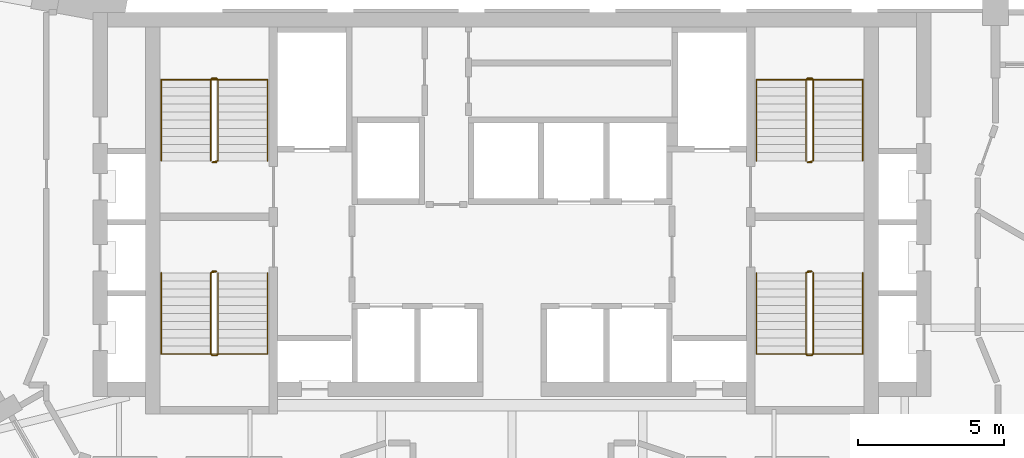
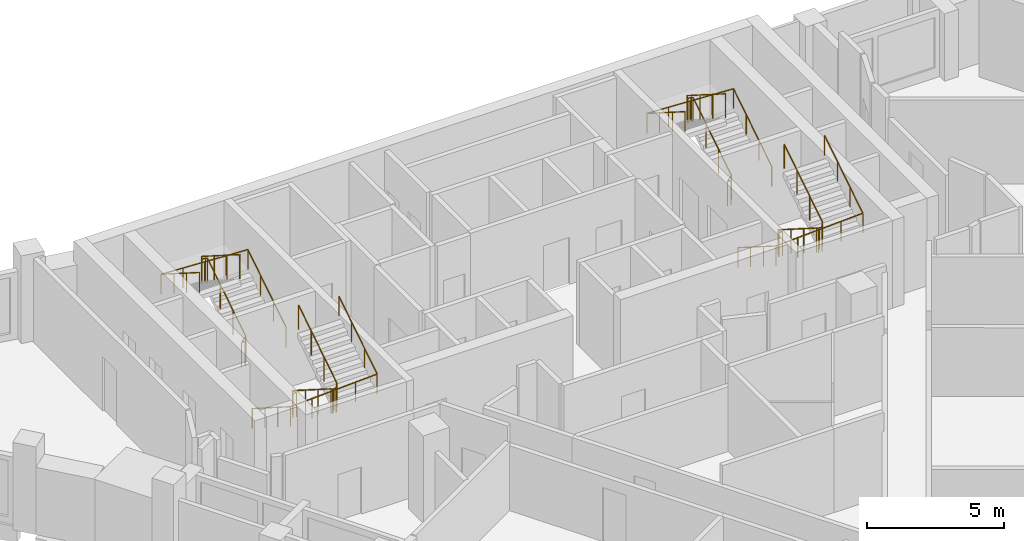
# One storey, part 9 of 9: 8 railings.
"""IFC4 building model written with IfcOpenShell, lengths in metres."""

from ifc_helpers import new_model, si_unit, direction, frame, origin, origin_2d, place, context, subcontext, project, spatial, circle, extrude, material, type_object, element, save


model = new_model("IFC4")

# Units and contexts
model_context = context("Model", 3, precision=1e-05, world=origin(), true_north=direction((0.0, 1.0)))
body_context = subcontext(model_context, "Body", "Model", "MODEL_VIEW")
ifc_project = project(units=[si_unit("LENGTHUNIT", "METRE"), si_unit("AREAUNIT", "SQUARE_METRE"), si_unit("VOLUMEUNIT", "CUBIC_METRE"), si_unit("PLANEANGLEUNIT", "RADIAN"), si_unit("MASSUNIT", "GRAM", prefix="KILO")], contexts=[model_context])

# Site, building, storey
site_placement = place(None, origin())
site = spatial("IfcSite", under=ifc_project, at=site_placement, CompositionType="ELEMENT")
building_placement = place(site_placement, origin())
building = spatial("IfcBuilding", under=site, at=building_placement, Name="Calabash Gate Tower", CompositionType="ELEMENT")
storey_placement = place(building_placement, frame((0.0, 0.0, 208.10009765625)))
storey = spatial("IfcBuildingStorey", under=building, at=storey_placement, Name="L49", CompositionType="ELEMENT", Elevation=208.10009765625)

# Railings
ifc_material_1 = material(Name="Black powder-coated steel balusters", Category="steel")
railing_type_1 = type_object("IfcRailingType", Name="Stair guard RL1100", PredefinedType="GUARDRAIL", material=ifc_material_1)
railing_1_placement = place(storey_placement, frame((-10.14990234375, 13.902587890625, 0.0)))
element("IfcRailing", 1, at=railing_1_placement, inside=storey, type_object=railing_type_1, Name="L49 ST1 stair guard 1", PredefinedType="GUARDRAIL", context=body_context, shape_type="SweptSolid", body=[
    extrude(circle(Radius=0.02392578125, at=origin_2d()), frame((0.0, 0.0, 1.076171875), z_axis=(-1.0, 0.0, 0.0), x_axis=(0.0, -1.0, 0.0)), (0.0, 0.0, 1.0), 0.150146484375),
    extrude(circle(Radius=0.02392578125, at=origin_2d()), frame((-0.150146484375, 0.0, 1.076171875), z_axis=(0.735524641326, 0.184105679453, 0.652003528208), x_axis=(-0.242814311512, 0.970072785993, 0.0)), (0.0, 0.0, 1.0), 0.271728515625),
    extrude(circle(Radius=0.02392578125, at=origin_2d()), frame((0.0498046875, 0.050048828125, 1.25341796875), z_axis=(0.0, 0.844041424197, 0.536277982245), x_axis=(-1.0, 0.0, 0.0)), (0.0, 0.0, 1.0), 3.3056640625),
    extrude(circle(Radius=0.02392578125, at=origin_2d()), frame((0.0498046875, 2.840087890625, 3.02587890625), z_axis=(-0.707106781187, 0.707106781187, 0.0), x_axis=(-0.707106781187, -0.707106781187, 0.0)), (0.0, 0.0, 1.0), 0.0703125),
    extrude(circle(Radius=0.02392578125, at=origin_2d()), frame((0.0, 2.889892578125, 3.02587890625), z_axis=(-1.0, 0.0, 0.0), x_axis=(0.0, -1.0, 0.0)), (0.0, 0.0, 1.0), 0.150146484375),
    extrude(circle(Radius=0.02392578125, at=origin_2d()), frame((-0.150146484375, 2.889892578125, 3.02587890625), z_axis=(-0.262321481514, -0.261041864531, 0.929001929653), x_axis=(0.705375805398, -0.708833529934, 0.0)), (0.0, 0.0, 1.0), 0.190673828125),
    extrude(circle(Radius=0.02392578125, at=origin_2d()), frame((-0.2001953125, 2.840087890625, 3.203125), z_axis=(0.0, -0.844041424197, 0.536277982245), x_axis=(1.0, 0.0, 0.0)), (0.0, 0.0, 1.0), 3.3056640625),
    extrude(circle(Radius=0.02099609375, at=origin_2d()), origin(), (0.0, 0.0, 1.0), 1.052001953125),
    extrude(circle(Radius=0.02099609375, at=origin_2d()), frame((-0.150146484375, 0.0, 0.0)), (0.0, 0.0, 1.0), 1.052001953125),
    extrude(circle(Radius=0.02099609375, at=origin_2d()), frame((0.0498046875, 0.050048828125, 0.17724609375)), (0.0, 0.0, 1.0), 1.052001953125),
    extrude(circle(Radius=0.02099609375, at=origin_2d()), frame((0.0498046875, 0.97998046875, 0.76806640625)), (0.0, 0.0, 1.0), 1.052001953125),
    extrude(circle(Radius=0.02099609375, at=origin_2d()), frame((0.0498046875, 1.91015625, 1.359130859375)), (0.0, 0.0, 1.0), 1.052001953125),
    extrude(circle(Radius=0.02099609375, at=origin_2d()), frame((0.0498046875, 2.840087890625, 1.949951171875)), (0.0, 0.0, 1.0), 1.052001953125),
    extrude(circle(Radius=0.02099609375, at=origin_2d()), frame((0.0, 2.889892578125, 1.949951171875)), (0.0, 0.0, 1.0), 1.052001953125),
    extrude(circle(Radius=0.02099609375, at=origin_2d()), frame((-0.150146484375, 2.889892578125, 1.949951171875)), (0.0, 0.0, 1.0), 1.052001953125),
    extrude(circle(Radius=0.02099609375, at=origin_2d()), frame((-0.2001953125, 2.840087890625, 2.127197265625)), (0.0, 0.0, 1.0), 1.052001953125),
    extrude(circle(Radius=0.02099609375, at=origin_2d()), frame((-0.2001953125, 1.91015625, 2.718017578125)), (0.0, 0.0, 1.0), 1.052001953125),
    extrude(circle(Radius=0.02099609375, at=origin_2d()), frame((-0.2001953125, 0.97998046875, 3.30908203125)), (0.0, 0.0, 1.0), 1.052001953125),
    extrude(circle(Radius=0.02099609375, at=origin_2d()), frame((-0.2001953125, 0.050048828125, 3.89990234375)), (0.0, 0.0, 1.0), 1.052001953125),
])
railing_2_placement = place(storey_placement, frame((-10.300048828125, 10.152587890625, 0.0)))
element("IfcRailing", 2, at=railing_2_placement, inside=storey, type_object=railing_type_1, Name="L49 ST2 stair guard 1", PredefinedType="GUARDRAIL", context=body_context, shape_type="SweptSolid", body=[
    extrude(circle(Radius=0.02392578125, at=origin_2d()), frame((0.0, 0.0, 1.076171875), z_axis=(1.0, 0.0, 0.0), x_axis=(0.0, 1.0, 0.0)), (0.0, 0.0, 1.0), 0.150146484375),
    extrude(circle(Radius=0.02392578125, at=origin_2d()), frame((0.150146484375, 0.0, 1.076171875), z_axis=(-0.735936453418, -0.183984113355, 0.651573006319), x_axis=(0.242535625036, -0.970142500145, 0.0)), (0.0, 0.0, 1.0), 0.27197265625),
    extrude(circle(Radius=0.02392578125, at=origin_2d()), frame((-0.050048828125, -0.050048828125, 1.25341796875), z_axis=(0.0, -0.844041424197, 0.536277982245), x_axis=(1.0, 0.0, 0.0)), (0.0, 0.0, 1.0), 3.3056640625),
    extrude(circle(Radius=0.02392578125, at=origin_2d()), frame((-0.050048828125, -2.840087890625, 3.02587890625), z_axis=(0.708833529934, -0.705375805398, 0.0), x_axis=(0.705375805398, 0.708833529934, 0.0)), (0.0, 0.0, 1.0), 0.070556640625),
    extrude(circle(Radius=0.02392578125, at=origin_2d()), frame((0.0, -2.889892578125, 3.02587890625), z_axis=(1.0, 0.0, 0.0), x_axis=(0.0, 1.0, 0.0)), (0.0, 0.0, 1.0), 0.150146484375),
    extrude(circle(Radius=0.02392578125, at=origin_2d()), frame((0.150146484375, -2.889892578125, 3.02587890625), z_axis=(0.261129318932, 0.261129318932, 0.929313164433), x_axis=(-0.707106781187, 0.707106781187, 0.0)), (0.0, 0.0, 1.0), 0.190673828125),
    extrude(circle(Radius=0.02392578125, at=origin_2d()), frame((0.199951171875, -2.840087890625, 3.203125), z_axis=(0.0, 0.844041424197, 0.536277982245), x_axis=(-1.0, 0.0, 0.0)), (0.0, 0.0, 1.0), 3.3056640625),
    extrude(circle(Radius=0.02099609375, at=origin_2d()), origin(), (0.0, 0.0, 1.0), 1.052001953125),
    extrude(circle(Radius=0.02099609375, at=origin_2d()), frame((0.150146484375, 0.0, 0.0)), (0.0, 0.0, 1.0), 1.052001953125),
    extrude(circle(Radius=0.02099609375, at=origin_2d()), frame((-0.050048828125, -0.050048828125, 0.17724609375)), (0.0, 0.0, 1.0), 1.052001953125),
    extrude(circle(Radius=0.02099609375, at=origin_2d()), frame((-0.050048828125, -0.97998046875, 0.76806640625)), (0.0, 0.0, 1.0), 1.052001953125),
    extrude(circle(Radius=0.02099609375, at=origin_2d()), frame((-0.050048828125, -1.91015625, 1.359130859375)), (0.0, 0.0, 1.0), 1.052001953125),
    extrude(circle(Radius=0.02099609375, at=origin_2d()), frame((-0.050048828125, -2.840087890625, 1.949951171875)), (0.0, 0.0, 1.0), 1.052001953125),
    extrude(circle(Radius=0.02099609375, at=origin_2d()), frame((0.0, -2.889892578125, 1.949951171875)), (0.0, 0.0, 1.0), 1.052001953125),
    extrude(circle(Radius=0.02099609375, at=origin_2d()), frame((0.150146484375, -2.889892578125, 1.949951171875)), (0.0, 0.0, 1.0), 1.052001953125),
    extrude(circle(Radius=0.02099609375, at=origin_2d()), frame((0.199951171875, -2.840087890625, 2.127197265625)), (0.0, 0.0, 1.0), 1.052001953125),
    extrude(circle(Radius=0.02099609375, at=origin_2d()), frame((0.199951171875, -1.91015625, 2.718017578125)), (0.0, 0.0, 1.0), 1.052001953125),
    extrude(circle(Radius=0.02099609375, at=origin_2d()), frame((0.199951171875, -0.97998046875, 3.30908203125)), (0.0, 0.0, 1.0), 1.052001953125),
    extrude(circle(Radius=0.02099609375, at=origin_2d()), frame((0.199951171875, -0.050048828125, 3.89990234375)), (0.0, 0.0, 1.0), 1.052001953125),
])
railing_3_placement = place(storey_placement, frame((10.300048828125, 13.902587890625, 0.0)))
element("IfcRailing", 3, at=railing_3_placement, inside=storey, type_object=railing_type_1, Name="L49 ST3 stair guard 1", PredefinedType="GUARDRAIL", context=body_context, shape_type="SweptSolid", body=[
    extrude(circle(Radius=0.02392578125, at=origin_2d()), frame((0.0, 0.0, 1.076171875), z_axis=(-1.0, 0.0, 0.0), x_axis=(0.0, -1.0, 0.0)), (0.0, 0.0, 1.0), 0.150146484375),
    extrude(circle(Radius=0.02392578125, at=origin_2d()), frame((-0.150146484375, 0.0, 1.076171875), z_axis=(0.735936453418, 0.183984113355, 0.651573006319), x_axis=(-0.242535625036, 0.970142500145, 0.0)), (0.0, 0.0, 1.0), 0.27197265625),
    extrude(circle(Radius=0.02392578125, at=origin_2d()), frame((0.050048828125, 0.050048828125, 1.25341796875), z_axis=(0.0, 0.844041424197, 0.536277982245), x_axis=(-1.0, 0.0, 0.0)), (0.0, 0.0, 1.0), 3.3056640625),
    extrude(circle(Radius=0.02392578125, at=origin_2d()), frame((0.050048828125, 2.840087890625, 3.02587890625), z_axis=(-0.708833529934, 0.705375805398, 0.0), x_axis=(-0.705375805398, -0.708833529934, 0.0)), (0.0, 0.0, 1.0), 0.070556640625),
    extrude(circle(Radius=0.02392578125, at=origin_2d()), frame((0.0, 2.889892578125, 3.02587890625), z_axis=(-1.0, 0.0, 0.0), x_axis=(0.0, -1.0, 0.0)), (0.0, 0.0, 1.0), 0.150146484375),
    extrude(circle(Radius=0.02392578125, at=origin_2d()), frame((-0.150146484375, 2.889892578125, 3.02587890625), z_axis=(-0.261129318932, -0.261129318932, 0.929313164433), x_axis=(0.707106781187, -0.707106781187, 0.0)), (0.0, 0.0, 1.0), 0.190673828125),
    extrude(circle(Radius=0.02392578125, at=origin_2d()), frame((-0.199951171875, 2.840087890625, 3.203125), z_axis=(0.0, -0.844041424197, 0.536277982245), x_axis=(1.0, 0.0, 0.0)), (0.0, 0.0, 1.0), 3.3056640625),
    extrude(circle(Radius=0.02099609375, at=origin_2d()), origin(), (0.0, 0.0, 1.0), 1.052001953125),
    extrude(circle(Radius=0.02099609375, at=origin_2d()), frame((-0.150146484375, 0.0, 0.0)), (0.0, 0.0, 1.0), 1.052001953125),
    extrude(circle(Radius=0.02099609375, at=origin_2d()), frame((0.050048828125, 0.050048828125, 0.17724609375)), (0.0, 0.0, 1.0), 1.052001953125),
    extrude(circle(Radius=0.02099609375, at=origin_2d()), frame((0.050048828125, 0.97998046875, 0.76806640625)), (0.0, 0.0, 1.0), 1.052001953125),
    extrude(circle(Radius=0.02099609375, at=origin_2d()), frame((0.050048828125, 1.91015625, 1.359130859375)), (0.0, 0.0, 1.0), 1.052001953125),
    extrude(circle(Radius=0.02099609375, at=origin_2d()), frame((0.050048828125, 2.840087890625, 1.949951171875)), (0.0, 0.0, 1.0), 1.052001953125),
    extrude(circle(Radius=0.02099609375, at=origin_2d()), frame((0.0, 2.889892578125, 1.949951171875)), (0.0, 0.0, 1.0), 1.052001953125),
    extrude(circle(Radius=0.02099609375, at=origin_2d()), frame((-0.150146484375, 2.889892578125, 1.949951171875)), (0.0, 0.0, 1.0), 1.052001953125),
    extrude(circle(Radius=0.02099609375, at=origin_2d()), frame((-0.199951171875, 2.840087890625, 2.127197265625)), (0.0, 0.0, 1.0), 1.052001953125),
    extrude(circle(Radius=0.02099609375, at=origin_2d()), frame((-0.199951171875, 1.91015625, 2.718017578125)), (0.0, 0.0, 1.0), 1.052001953125),
    extrude(circle(Radius=0.02099609375, at=origin_2d()), frame((-0.199951171875, 0.97998046875, 3.30908203125)), (0.0, 0.0, 1.0), 1.052001953125),
    extrude(circle(Radius=0.02099609375, at=origin_2d()), frame((-0.199951171875, 0.050048828125, 3.89990234375)), (0.0, 0.0, 1.0), 1.052001953125),
])
railing_4_placement = place(storey_placement, frame((10.14990234375, 10.152587890625, 0.0)))
element("IfcRailing", 4, at=railing_4_placement, inside=storey, type_object=railing_type_1, Name="L49 ST4 stair guard 1", PredefinedType="GUARDRAIL", context=body_context, shape_type="SweptSolid", body=[
    extrude(circle(Radius=0.02392578125, at=origin_2d()), frame((0.0, 0.0, 1.076171875), z_axis=(1.0, 0.0, 0.0), x_axis=(0.0, 1.0, 0.0)), (0.0, 0.0, 1.0), 0.150146484375),
    extrude(circle(Radius=0.02392578125, at=origin_2d()), frame((0.150146484375, 0.0, 1.076171875), z_axis=(-0.735524641326, -0.184105679453, 0.652003528208), x_axis=(0.242814311512, -0.970072785993, 0.0)), (0.0, 0.0, 1.0), 0.271728515625),
    extrude(circle(Radius=0.02392578125, at=origin_2d()), frame((-0.0498046875, -0.050048828125, 1.25341796875), z_axis=(0.0, -0.844041424197, 0.536277982245), x_axis=(1.0, 0.0, 0.0)), (0.0, 0.0, 1.0), 3.3056640625),
    extrude(circle(Radius=0.02392578125, at=origin_2d()), frame((-0.0498046875, -2.840087890625, 3.02587890625), z_axis=(0.707106781187, -0.707106781187, 0.0), x_axis=(0.707106781187, 0.707106781187, 0.0)), (0.0, 0.0, 1.0), 0.0703125),
    extrude(circle(Radius=0.02392578125, at=origin_2d()), frame((0.0, -2.889892578125, 3.02587890625), z_axis=(1.0, 0.0, 0.0), x_axis=(0.0, 1.0, 0.0)), (0.0, 0.0, 1.0), 0.150146484375),
    extrude(circle(Radius=0.02392578125, at=origin_2d()), frame((0.150146484375, -2.889892578125, 3.02587890625), z_axis=(0.262321481514, 0.261041864531, 0.929001929653), x_axis=(-0.705375805398, 0.708833529934, 0.0)), (0.0, 0.0, 1.0), 0.190673828125),
    extrude(circle(Radius=0.02392578125, at=origin_2d()), frame((0.2001953125, -2.840087890625, 3.203125), z_axis=(0.0, 0.844041424197, 0.536277982245), x_axis=(-1.0, 0.0, 0.0)), (0.0, 0.0, 1.0), 3.3056640625),
    extrude(circle(Radius=0.02099609375, at=origin_2d()), origin(), (0.0, 0.0, 1.0), 1.052001953125),
    extrude(circle(Radius=0.02099609375, at=origin_2d()), frame((0.150146484375, 0.0, 0.0)), (0.0, 0.0, 1.0), 1.052001953125),
    extrude(circle(Radius=0.02099609375, at=origin_2d()), frame((-0.0498046875, -0.050048828125, 0.17724609375)), (0.0, 0.0, 1.0), 1.052001953125),
    extrude(circle(Radius=0.02099609375, at=origin_2d()), frame((-0.0498046875, -0.97998046875, 0.76806640625)), (0.0, 0.0, 1.0), 1.052001953125),
    extrude(circle(Radius=0.02099609375, at=origin_2d()), frame((-0.0498046875, -1.91015625, 1.359130859375)), (0.0, 0.0, 1.0), 1.052001953125),
    extrude(circle(Radius=0.02099609375, at=origin_2d()), frame((-0.0498046875, -2.840087890625, 1.949951171875)), (0.0, 0.0, 1.0), 1.052001953125),
    extrude(circle(Radius=0.02099609375, at=origin_2d()), frame((0.0, -2.889892578125, 1.949951171875)), (0.0, 0.0, 1.0), 1.052001953125),
    extrude(circle(Radius=0.02099609375, at=origin_2d()), frame((0.150146484375, -2.889892578125, 1.949951171875)), (0.0, 0.0, 1.0), 1.052001953125),
    extrude(circle(Radius=0.02099609375, at=origin_2d()), frame((0.2001953125, -2.840087890625, 2.127197265625)), (0.0, 0.0, 1.0), 1.052001953125),
    extrude(circle(Radius=0.02099609375, at=origin_2d()), frame((0.2001953125, -1.91015625, 2.718017578125)), (0.0, 0.0, 1.0), 1.052001953125),
    extrude(circle(Radius=0.02099609375, at=origin_2d()), frame((0.2001953125, -0.97998046875, 3.30908203125)), (0.0, 0.0, 1.0), 1.052001953125),
    extrude(circle(Radius=0.02099609375, at=origin_2d()), frame((0.2001953125, -0.050048828125, 3.89990234375)), (0.0, 0.0, 1.0), 1.052001953125),
])
ifc_material_2 = material(Name="Black powder-coated steel tube 48 mm", Category="steel")
railing_type_2 = type_object("IfcRailingType", Name="Stair handrail RL900", PredefinedType="HANDRAIL", material=ifc_material_2)
railing_5_placement = place(storey_placement, frame((-8.39990234375, 13.95263671875, 0.17724609375)))
element("IfcRailing", 5, at=railing_5_placement, inside=storey, type_object=railing_type_2, Name="L49 ST1 stair handrail 1", PredefinedType="HANDRAIL", context=body_context, shape_type="SweptSolid", body=[
    extrude(circle(Radius=0.02392578125, at=origin_2d()), frame((0.0, 0.0, 0.8759765625), z_axis=(0.0, 0.844041424197, 0.536277982245), x_axis=(-1.0, 0.0, 0.0)), (0.0, 0.0, 1.0), 3.3056640625),
    extrude(circle(Radius=0.02392578125, at=origin_2d()), frame((0.0, 2.7900390625, 2.6484375), z_axis=(-0.998823110844, 0.0, 0.048501476722), x_axis=(0.0, -1.0, 0.0)), (0.0, 0.0, 1.0), 3.654541015625),
    extrude(circle(Radius=0.02392578125, at=origin_2d()), frame((-3.650146484375, 2.7900390625, 2.82568359375), z_axis=(0.0, -0.844041424197, 0.536277982245), x_axis=(1.0, 0.0, 0.0)), (0.0, 0.0, 1.0), 3.3056640625),
    extrude(circle(Radius=0.02099609375, at=origin_2d()), origin(), (0.0, 0.0, 1.0), 0.851806640625),
    extrude(circle(Radius=0.02099609375, at=origin_2d()), frame((0.0, 0.929931640625, 0.5908203125)), (0.0, 0.0, 1.0), 0.851806640625),
    extrude(circle(Radius=0.02099609375, at=origin_2d()), frame((0.0, 1.860107421875, 1.181884765625)), (0.0, 0.0, 1.0), 0.851806640625),
    extrude(circle(Radius=0.02099609375, at=origin_2d()), frame((0.0, 2.7900390625, 1.772705078125)), (0.0, 0.0, 1.0), 0.851806640625),
    extrude(circle(Radius=0.02099609375, at=origin_2d()), frame((-0.91259765625, 2.7900390625, 1.81689453125)), (0.0, 0.0, 1.0), 0.851806640625),
    extrude(circle(Radius=0.02099609375, at=origin_2d()), frame((-1.8251953125, 2.7900390625, 1.861328125)), (0.0, 0.0, 1.0), 0.851806640625),
    extrude(circle(Radius=0.02099609375, at=origin_2d()), frame((-2.737548828125, 2.7900390625, 1.90576171875)), (0.0, 0.0, 1.0), 0.851806640625),
    extrude(circle(Radius=0.02099609375, at=origin_2d()), frame((-3.650146484375, 2.7900390625, 1.949951171875)), (0.0, 0.0, 1.0), 0.851806640625),
    extrude(circle(Radius=0.02099609375, at=origin_2d()), frame((-3.650146484375, 1.860107421875, 2.540771484375)), (0.0, 0.0, 1.0), 0.851806640625),
    extrude(circle(Radius=0.02099609375, at=origin_2d()), frame((-3.650146484375, 0.929931640625, 3.1318359375)), (0.0, 0.0, 1.0), 0.851806640625),
    extrude(circle(Radius=0.02099609375, at=origin_2d()), frame((-3.650146484375, 0.0, 3.72265625)), (0.0, 0.0, 1.0), 0.851806640625),
])
railing_6_placement = place(storey_placement, frame((-12.050048828125, 10.1025390625, 0.17724609375)))
element("IfcRailing", 6, at=railing_6_placement, inside=storey, type_object=railing_type_2, Name="L49 ST2 stair handrail 1", PredefinedType="HANDRAIL", context=body_context, shape_type="SweptSolid", body=[
    extrude(circle(Radius=0.02392578125, at=origin_2d()), frame((0.0, 0.0, 0.8759765625), z_axis=(0.0, -0.844041424197, 0.536277982245), x_axis=(1.0, 0.0, 0.0)), (0.0, 0.0, 1.0), 3.3056640625),
    extrude(circle(Radius=0.02392578125, at=origin_2d()), frame((0.0, -2.7900390625, 2.6484375), z_axis=(0.998823110844, 0.0, 0.048501476722), x_axis=(0.0, 1.0, 0.0)), (0.0, 0.0, 1.0), 3.654541015625),
    extrude(circle(Radius=0.02392578125, at=origin_2d()), frame((3.650146484375, -2.7900390625, 2.82568359375), z_axis=(0.0, 0.844041424197, 0.536277982245), x_axis=(-1.0, 0.0, 0.0)), (0.0, 0.0, 1.0), 3.3056640625),
    extrude(circle(Radius=0.02099609375, at=origin_2d()), origin(), (0.0, 0.0, 1.0), 0.851806640625),
    extrude(circle(Radius=0.02099609375, at=origin_2d()), frame((0.0, -0.929931640625, 0.5908203125)), (0.0, 0.0, 1.0), 0.851806640625),
    extrude(circle(Radius=0.02099609375, at=origin_2d()), frame((0.0, -1.860107421875, 1.181884765625)), (0.0, 0.0, 1.0), 0.851806640625),
    extrude(circle(Radius=0.02099609375, at=origin_2d()), frame((0.0, -2.7900390625, 1.772705078125)), (0.0, 0.0, 1.0), 0.851806640625),
    extrude(circle(Radius=0.02099609375, at=origin_2d()), frame((0.91259765625, -2.7900390625, 1.81689453125)), (0.0, 0.0, 1.0), 0.851806640625),
    extrude(circle(Radius=0.02099609375, at=origin_2d()), frame((1.8251953125, -2.7900390625, 1.861328125)), (0.0, 0.0, 1.0), 0.851806640625),
    extrude(circle(Radius=0.02099609375, at=origin_2d()), frame((2.737548828125, -2.7900390625, 1.90576171875)), (0.0, 0.0, 1.0), 0.851806640625),
    extrude(circle(Radius=0.02099609375, at=origin_2d()), frame((3.650146484375, -2.7900390625, 1.949951171875)), (0.0, 0.0, 1.0), 0.851806640625),
    extrude(circle(Radius=0.02099609375, at=origin_2d()), frame((3.650146484375, -1.860107421875, 2.540771484375)), (0.0, 0.0, 1.0), 0.851806640625),
    extrude(circle(Radius=0.02099609375, at=origin_2d()), frame((3.650146484375, -0.929931640625, 3.1318359375)), (0.0, 0.0, 1.0), 0.851806640625),
    extrude(circle(Radius=0.02099609375, at=origin_2d()), frame((3.650146484375, 0.0, 3.72265625)), (0.0, 0.0, 1.0), 0.851806640625),
])
railing_7_placement = place(storey_placement, frame((12.050048828125, 13.95263671875, 0.17724609375)))
element("IfcRailing", 7, at=railing_7_placement, inside=storey, type_object=railing_type_2, Name="L49 ST3 stair handrail 1", PredefinedType="HANDRAIL", context=body_context, shape_type="SweptSolid", body=[
    extrude(circle(Radius=0.02392578125, at=origin_2d()), frame((0.0, 0.0, 0.8759765625), z_axis=(0.0, 0.844041424197, 0.536277982245), x_axis=(-1.0, 0.0, 0.0)), (0.0, 0.0, 1.0), 3.3056640625),
    extrude(circle(Radius=0.02392578125, at=origin_2d()), frame((0.0, 2.7900390625, 2.6484375), z_axis=(-0.998823110844, 0.0, 0.048501476722), x_axis=(0.0, -1.0, 0.0)), (0.0, 0.0, 1.0), 3.654541015625),
    extrude(circle(Radius=0.02392578125, at=origin_2d()), frame((-3.650146484375, 2.7900390625, 2.82568359375), z_axis=(0.0, -0.844041424197, 0.536277982245), x_axis=(1.0, 0.0, 0.0)), (0.0, 0.0, 1.0), 3.3056640625),
    extrude(circle(Radius=0.02099609375, at=origin_2d()), origin(), (0.0, 0.0, 1.0), 0.851806640625),
    extrude(circle(Radius=0.02099609375, at=origin_2d()), frame((0.0, 0.929931640625, 0.5908203125)), (0.0, 0.0, 1.0), 0.851806640625),
    extrude(circle(Radius=0.02099609375, at=origin_2d()), frame((0.0, 1.860107421875, 1.181884765625)), (0.0, 0.0, 1.0), 0.851806640625),
    extrude(circle(Radius=0.02099609375, at=origin_2d()), frame((0.0, 2.7900390625, 1.772705078125)), (0.0, 0.0, 1.0), 0.851806640625),
    extrude(circle(Radius=0.02099609375, at=origin_2d()), frame((-0.91259765625, 2.7900390625, 1.81689453125)), (0.0, 0.0, 1.0), 0.851806640625),
    extrude(circle(Radius=0.02099609375, at=origin_2d()), frame((-1.8251953125, 2.7900390625, 1.861328125)), (0.0, 0.0, 1.0), 0.851806640625),
    extrude(circle(Radius=0.02099609375, at=origin_2d()), frame((-2.737548828125, 2.7900390625, 1.90576171875)), (0.0, 0.0, 1.0), 0.851806640625),
    extrude(circle(Radius=0.02099609375, at=origin_2d()), frame((-3.650146484375, 2.7900390625, 1.949951171875)), (0.0, 0.0, 1.0), 0.851806640625),
    extrude(circle(Radius=0.02099609375, at=origin_2d()), frame((-3.650146484375, 1.860107421875, 2.540771484375)), (0.0, 0.0, 1.0), 0.851806640625),
    extrude(circle(Radius=0.02099609375, at=origin_2d()), frame((-3.650146484375, 0.929931640625, 3.1318359375)), (0.0, 0.0, 1.0), 0.851806640625),
    extrude(circle(Radius=0.02099609375, at=origin_2d()), frame((-3.650146484375, 0.0, 3.72265625)), (0.0, 0.0, 1.0), 0.851806640625),
])
railing_8_placement = place(storey_placement, frame((8.39990234375, 10.1025390625, 0.17724609375)))
element("IfcRailing", 8, at=railing_8_placement, inside=storey, type_object=railing_type_2, Name="L49 ST4 stair handrail 1", PredefinedType="HANDRAIL", context=body_context, shape_type="SweptSolid", body=[
    extrude(circle(Radius=0.02392578125, at=origin_2d()), frame((0.0, 0.0, 0.8759765625), z_axis=(0.0, -0.844041424197, 0.536277982245), x_axis=(1.0, 0.0, 0.0)), (0.0, 0.0, 1.0), 3.3056640625),
    extrude(circle(Radius=0.02392578125, at=origin_2d()), frame((0.0, -2.7900390625, 2.6484375), z_axis=(0.998823110844, 0.0, 0.048501476722), x_axis=(0.0, 1.0, 0.0)), (0.0, 0.0, 1.0), 3.654541015625),
    extrude(circle(Radius=0.02392578125, at=origin_2d()), frame((3.650146484375, -2.7900390625, 2.82568359375), z_axis=(0.0, 0.844041424197, 0.536277982245), x_axis=(-1.0, 0.0, 0.0)), (0.0, 0.0, 1.0), 3.3056640625),
    extrude(circle(Radius=0.02099609375, at=origin_2d()), origin(), (0.0, 0.0, 1.0), 0.851806640625),
    extrude(circle(Radius=0.02099609375, at=origin_2d()), frame((0.0, -0.929931640625, 0.5908203125)), (0.0, 0.0, 1.0), 0.851806640625),
    extrude(circle(Radius=0.02099609375, at=origin_2d()), frame((0.0, -1.860107421875, 1.181884765625)), (0.0, 0.0, 1.0), 0.851806640625),
    extrude(circle(Radius=0.02099609375, at=origin_2d()), frame((0.0, -2.7900390625, 1.772705078125)), (0.0, 0.0, 1.0), 0.851806640625),
    extrude(circle(Radius=0.02099609375, at=origin_2d()), frame((0.91259765625, -2.7900390625, 1.81689453125)), (0.0, 0.0, 1.0), 0.851806640625),
    extrude(circle(Radius=0.02099609375, at=origin_2d()), frame((1.8251953125, -2.7900390625, 1.861328125)), (0.0, 0.0, 1.0), 0.851806640625),
    extrude(circle(Radius=0.02099609375, at=origin_2d()), frame((2.737548828125, -2.7900390625, 1.90576171875)), (0.0, 0.0, 1.0), 0.851806640625),
    extrude(circle(Radius=0.02099609375, at=origin_2d()), frame((3.650146484375, -2.7900390625, 1.949951171875)), (0.0, 0.0, 1.0), 0.851806640625),
    extrude(circle(Radius=0.02099609375, at=origin_2d()), frame((3.650146484375, -1.860107421875, 2.540771484375)), (0.0, 0.0, 1.0), 0.851806640625),
    extrude(circle(Radius=0.02099609375, at=origin_2d()), frame((3.650146484375, -0.929931640625, 3.1318359375)), (0.0, 0.0, 1.0), 0.851806640625),
    extrude(circle(Radius=0.02099609375, at=origin_2d()), frame((3.650146484375, 0.0, 3.72265625)), (0.0, 0.0, 1.0), 0.851806640625),
])

save(model, "model.ifc")
